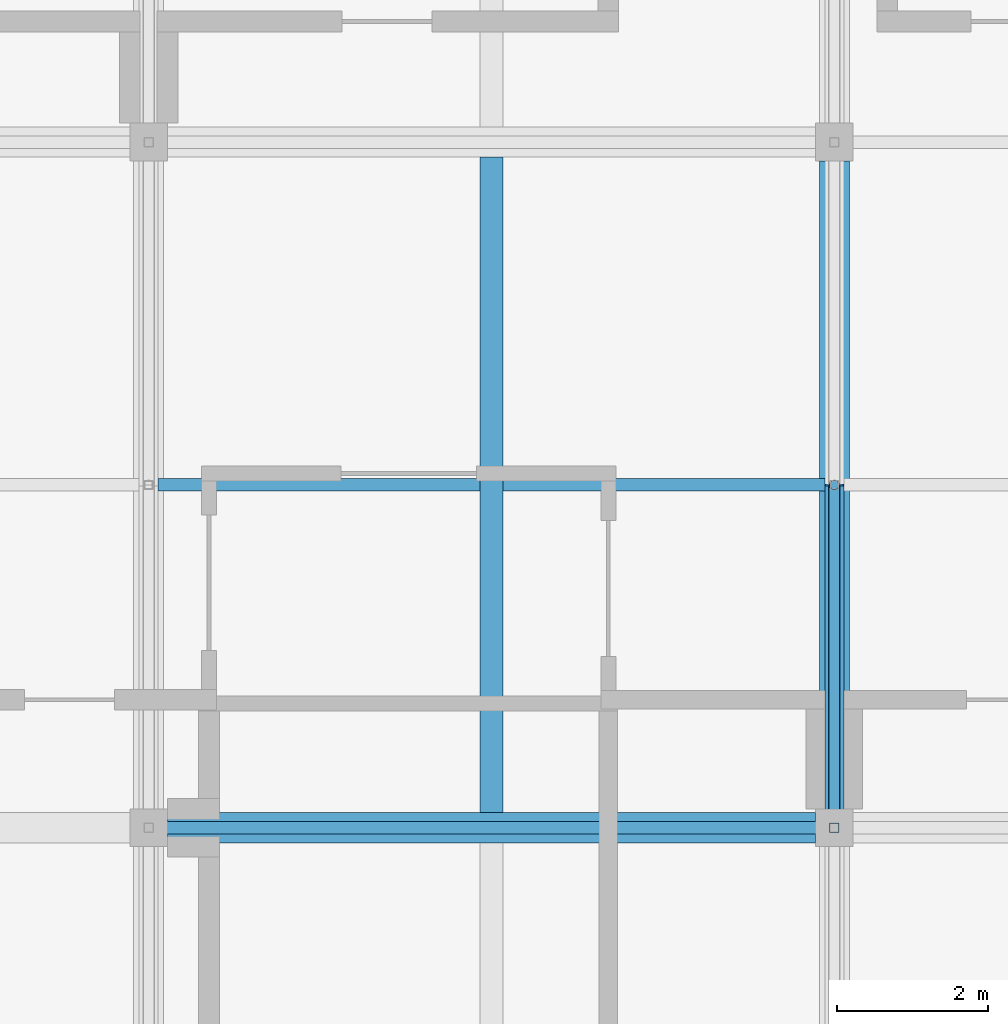
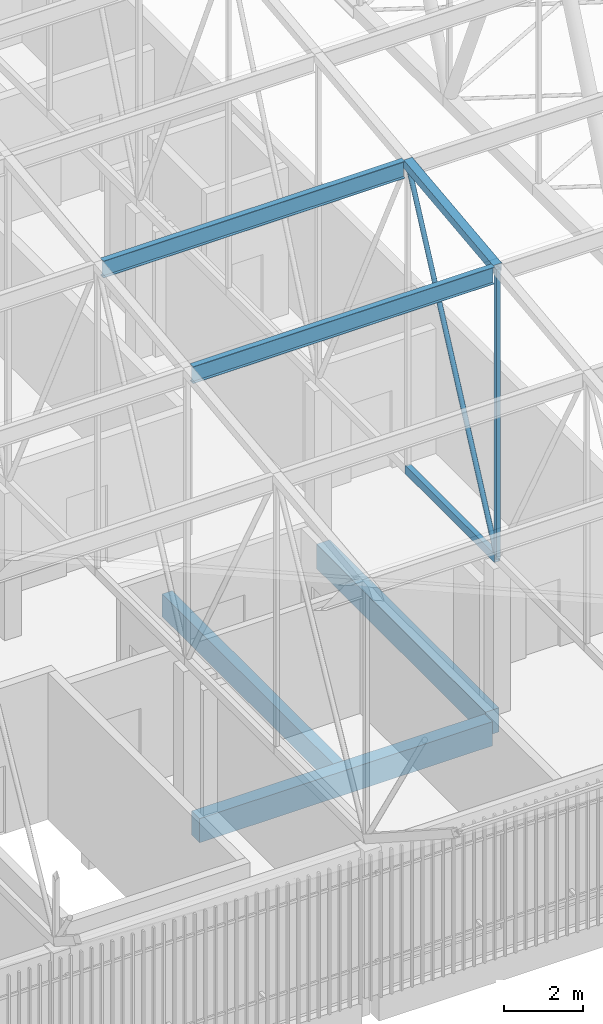
# One storey, part 39 of 500: 6 members, 3 beams.
"""IFC4 building model written with IfcOpenShell, lengths in metres."""

from ifc_helpers import new_model, si_unit, direction, frame, origin, origin_2d, place, context, subcontext, project, spatial, rectangle, hollow_rectangle, hollow_circle, i_section, extrude, material, material_profile, profile_set, type_object, element, save


model = new_model("IFC4")

# Units and contexts
model_context = context("Model", 3, precision=1e-05, world=origin(), true_north=direction((0.0, 1.0)))
body_context = subcontext(model_context, "Body", "Model", "MODEL_VIEW")
ifc_project = project(units=[si_unit("LENGTHUNIT", "METRE"), si_unit("AREAUNIT", "SQUARE_METRE"), si_unit("VOLUMEUNIT", "CUBIC_METRE"), si_unit("PLANEANGLEUNIT", "RADIAN"), si_unit("MASSUNIT", "GRAM", prefix="KILO")], contexts=[model_context])

# Site, building, storey
site_placement = place(None, origin())
site = spatial("IfcSite", under=ifc_project, at=site_placement, CompositionType="ELEMENT")
building_placement = place(site_placement, origin())
building = spatial("IfcBuilding", under=site, at=building_placement, Name="Shirokan Park Arena", CompositionType="ELEMENT")
storey_placement = place(building_placement, frame((0.0, 0.0, 29.1201171875)))
storey = spatial("IfcBuildingStorey", under=building, at=storey_placement, Name="L06", CompositionType="ELEMENT", Elevation=29.1201171875)

# Members
ifc_material_1 = material(Name="Steel ASTM A500 Grade C", Category="steel")
ifc_material_profile_1 = material_profile(ifc_material_1, hollow_rectangle(XDim=0.152099609375, YDim=0.25390625, WallThickness=0.009521484375, at=origin_2d()), Name="HSS254X152.4X9.5")
ifc_profile_set_1 = profile_set([ifc_material_profile_1], Name="Steel ASTM A500 Grade C")
member_type_1 = type_object("IfcMemberType", Name="Bottom chord HSS254X152.4X9.5", PredefinedType="CHORD", material=ifc_profile_set_1)
member_1_placement = place(storey_placement, frame((36.39990234375, 9.10009765625, 4.677001953125), z_axis=(0.0, 1.0, 0.0), x_axis=(-1.0, 0.0, 0.0)))
element("IfcMember", 1, at=member_1_placement, inside=storey, type_object=member_type_1, Name="Truss T05 bottom chord 5", PredefinedType="CHORD", context=body_context, shape_type="SweptSolid", body=[
    extrude(hollow_rectangle(XDim=0.152099609375, YDim=0.25390625, WallThickness=0.009521484375, at=origin_2d()), origin(), (0.0, 0.0, 1.0), 4.5498046875),
])
ifc_material_2 = material(Name="Steel ASTM A992", Category="steel")
ifc_material_profile_2 = material_profile(ifc_material_2, i_section(OverallWidth=0.166015625, OverallDepth=0.528076171875, WebThickness=0.009765625, FlangeThickness=0.013671875, at=origin_2d()), Name="W530X74")
ifc_profile_set_2 = profile_set([ifc_material_profile_2], Name="Steel ASTM A992")
member_type_2 = type_object("IfcMemberType", Name="Purlin W530X74", PredefinedType="PURLIN", material=ifc_profile_set_2)
for number, where, z_axis, x_axis, name in (
    (2, (27.427001953125, 9.10009765625, 13.52587890625), (1.0, 0.0, 0.0), (0.0, 1.0, 0.0), "Purlin 5 bay 4"),
    (3, (27.427001953125, 13.64990234375, 14.0458984375), (1.0, 0.0, 0.0), (0.0, 1.0, 0.0), "Purlin 6 bay 4"),
):
    element("IfcMember", number, at=place(storey_placement, frame(where, z_axis=z_axis, x_axis=x_axis)), inside=storey, type_object=member_type_2, Name=name, PredefinedType="PURLIN", context=body_context, shape_type="SweptSolid", body=[
        extrude(i_section(OverallWidth=0.166015625, OverallDepth=0.528076171875, WebThickness=0.009765625, FlangeThickness=0.013671875, at=origin_2d()), origin(), (0.0, 0.0, 1.0), 8.845947265625),
    ])

# Beams
ifc_material_3 = material(Name="Concrete C35", Category="concrete")
ifc_material_profile_3 = material_profile(ifc_material_3, rectangle(XDim=0.39990234375, YDim=0.75, at=origin_2d()), Name="400x750")
ifc_profile_set_3 = profile_set([ifc_material_profile_3], Name="Concrete C35")
beam_type_1 = type_object("IfcBeamType", Name="RC girder 400x750", PredefinedType="BEAM", material=ifc_profile_set_3)
for number, where, z_axis, x_axis, name in (
    (4, (27.550048828125, 9.10009765625, -0.5751953125), (1.0, 0.0, 0.0), (0.0, 1.0, 0.0), "Girder 4B-5B L06"),
    (5, (36.39990234375, 9.35009765625, -0.5751953125), (0.0, 1.0, 0.0), (-1.0, 0.0, 0.0), "Girder 5B-5C L06"),
):
    element("IfcBeam", number, at=place(storey_placement, frame(where, z_axis=z_axis, x_axis=x_axis)), inside=storey, type_object=beam_type_1, Name=name, PredefinedType="BEAM", context=body_context, shape_type="SweptSolid", body=[
        extrude(rectangle(XDim=0.39990234375, YDim=0.75, at=origin_2d()), origin(), (0.0, 0.0, 1.0), 8.599853515625),
    ])
ifc_material_profile_4 = material_profile(ifc_material_3, rectangle(XDim=0.300048828125, YDim=0.699951171875, at=origin_2d()), Name="300x700")
ifc_profile_set_4 = profile_set([ifc_material_profile_4], Name="Concrete C35")
beam_type_2 = type_object("IfcBeamType", Name="RC joist 300x700", PredefinedType="JOIST", material=ifc_profile_set_4)
beam_placement = place(storey_placement, frame((31.85009765625, 9.300048828125, -0.550048828125), z_axis=(0.0, 1.0, 0.0), x_axis=(-1.0, 0.0, 0.0)))
element("IfcBeam", 6, at=beam_placement, inside=storey, type_object=beam_type_2, Name="Joist 5B L06", PredefinedType="JOIST", context=body_context, shape_type="SweptSolid", body=[
    extrude(rectangle(XDim=0.300048828125, YDim=0.699951171875, at=origin_2d()), origin(), (0.0, 0.0, 1.0), 8.699951171875),
])

# Members
ifc_material_profile_5 = material_profile(ifc_material_1, hollow_rectangle(XDim=0.25390625, YDim=0.25390625, WallThickness=0.009521484375, at=origin_2d()), Name="HSS254X254X9.5")
ifc_profile_set_5 = profile_set([ifc_material_profile_5], Name="Steel ASTM A500 Grade C")
member_type_3 = type_object("IfcMemberType", Name="Top chord HSS254X254X9.5", PredefinedType="CHORD", material=ifc_profile_set_5)
member_2_placement = place(storey_placement, frame((36.39990234375, 9.10009765625, 13.662841796875), z_axis=(0.0, 0.993531641592, 0.11355561261), x_axis=(-1.0, 0.0, 0.0)))
element("IfcMember", 7, at=member_2_placement, inside=storey, type_object=member_type_3, Name="Truss T05 top chord 5", PredefinedType="CHORD", context=body_context, shape_type="SweptSolid", body=[
    extrude(hollow_rectangle(XDim=0.25390625, YDim=0.25390625, WallThickness=0.009521484375, at=origin_2d()), origin(), (0.0, 0.0, 1.0), 4.579345703125),
])
ifc_material_profile_6 = material_profile(ifc_material_1, hollow_circle(Radius=0.070556640625, WallThickness=0.006591796875, at=origin_2d()), Name="HSS141.3X6.6")
ifc_profile_set_6 = profile_set([ifc_material_profile_6], Name="Steel ASTM A500 Grade C")
member_type_4 = type_object("IfcMemberType", Name="Truss diagonal HSS141.3X6.6", PredefinedType="BRACE", material=ifc_profile_set_6)
member_3_placement = place(storey_placement, frame((36.39990234375, 9.10009765625, 4.677001953125), z_axis=(0.0, 0.431727628527, 0.90200402148), x_axis=(-1.0, 0.0, 0.0)))
element("IfcMember", 8, at=member_3_placement, inside=storey, type_object=member_type_4, Name="Truss T05 diagonal 5", PredefinedType="BRACE", context=body_context, shape_type="SweptSolid", body=[
    extrude(hollow_circle(Radius=0.070556640625, WallThickness=0.006591796875, at=origin_2d()), origin(), (0.0, 0.0, 1.0), 10.53857421875),
])
ifc_material_profile_7 = material_profile(ifc_material_1, hollow_rectangle(XDim=0.126953125, YDim=0.126953125, WallThickness=0.008056640625, at=origin_2d()), Name="HSS127X127X7.9")
ifc_profile_set_7 = profile_set([ifc_material_profile_7], Name="Steel ASTM A500 Grade C")
member_type_5 = type_object("IfcMemberType", Name="Truss post HSS127X127X7.9", PredefinedType="POST", material=ifc_profile_set_7)
member_4_placement = place(storey_placement, frame((36.39990234375, 9.10009765625, 4.677001953125), z_axis=(0.0, 0.0, 1.0), x_axis=(1.0, 0.0, 0.0)))
element("IfcMember", 9, at=member_4_placement, inside=storey, type_object=member_type_5, Name="Truss T05 post 5", PredefinedType="POST", context=body_context, shape_type="SweptSolid", body=[
    extrude(hollow_rectangle(XDim=0.126953125, YDim=0.126953125, WallThickness=0.008056640625, at=origin_2d()), origin(), (0.0, 0.0, 1.0), 8.98583984375),
])

save(model, "model.ifc")
